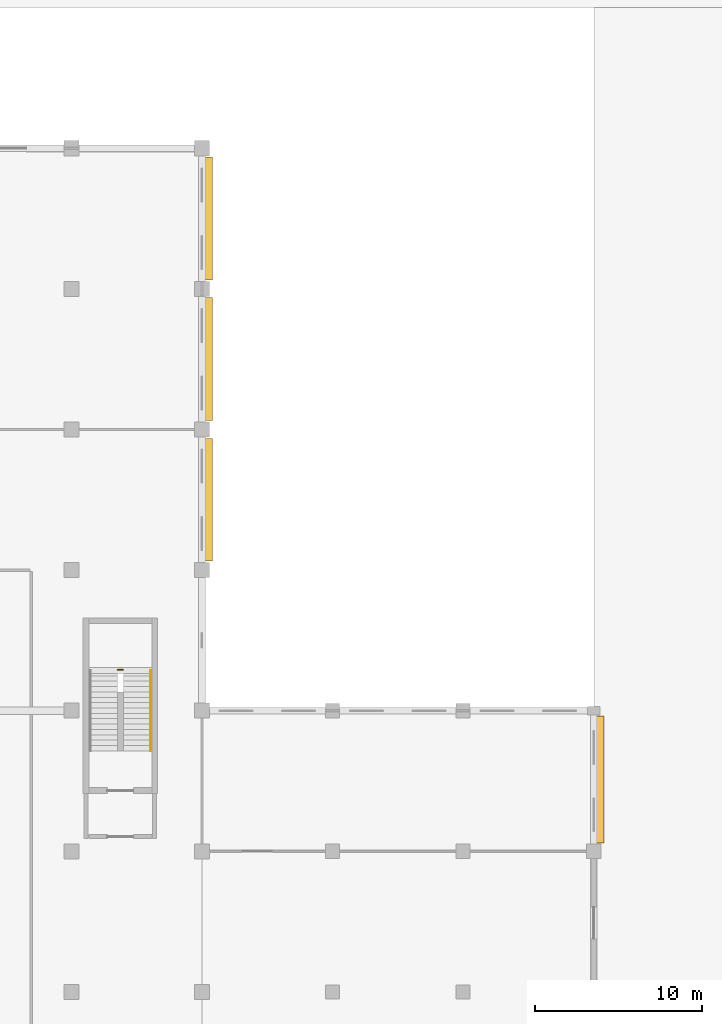
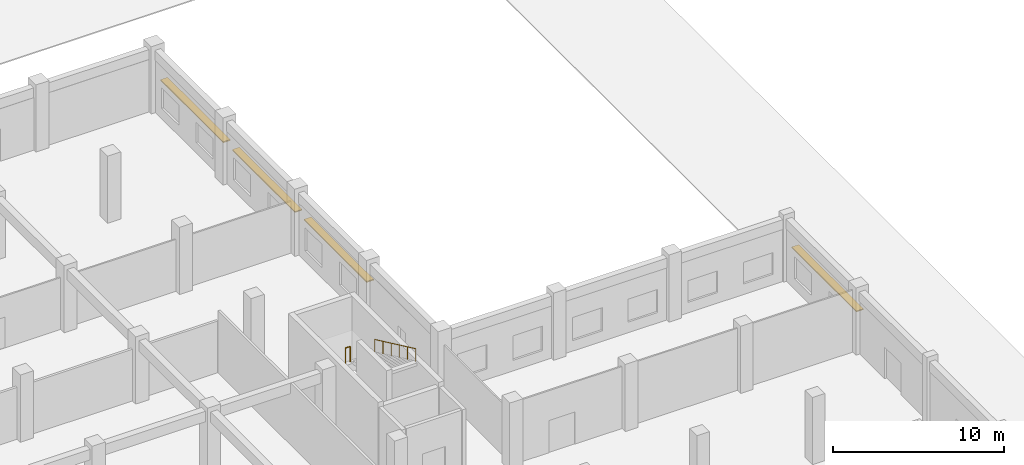
# One storey, part 74 of 74: 4 shading devices, 2 railings.
"""IFC4 building model written with IfcOpenShell, lengths in metres."""

from ifc_helpers import new_model, si_unit, direction, frame, origin, origin_2d, place, context, subcontext, project, spatial, rectangle, circle, extrude, material, layer, layer_set, type_object, element, save


model = new_model("IFC4")

# Units and contexts
model_context = context("Model", 3, precision=1e-05, world=origin(), true_north=direction((0.0, 1.0)))
body_context = subcontext(model_context, "Body", "Model", "MODEL_VIEW")
ifc_project = project(units=[si_unit("LENGTHUNIT", "METRE"), si_unit("AREAUNIT", "SQUARE_METRE"), si_unit("VOLUMEUNIT", "CUBIC_METRE"), si_unit("PLANEANGLEUNIT", "RADIAN"), si_unit("MASSUNIT", "GRAM", prefix="KILO"), si_unit("THERMODYNAMICTEMPERATUREUNIT", "KELVIN"), si_unit("POWERUNIT", "WATT")], contexts=[model_context])

# Site, building, storey
site_placement = place(None, origin())
site = spatial("IfcSite", under=ifc_project, at=site_placement, CompositionType="ELEMENT")
building_placement = place(site_placement, origin())
building = spatial("IfcBuilding", under=site, at=building_placement, Name="Srebrne Nadtorze General Hospital", CompositionType="ELEMENT")
storey_placement = place(building_placement, origin())
storey = spatial("IfcBuildingStorey", under=building, at=storey_placement, Name="L00", CompositionType="ELEMENT", Elevation=0.0)

# Shading devices
ifc_material_1 = material(Name="Anodised Aluminium", Category="aluminium")
ifc_layer = layer(ifc_material_1, 0.080078125)
ifc_layer_set = layer_set([ifc_layer], Name="Anodised Aluminium")
shading_device_type = type_object("IfcShadingDeviceType", Name="Hisashi horizontal aluminium sunshade", PredefinedType="JALOUSIE", material=ifc_layer_set)
for number, where, z_axis, x_axis, name in (
    (1, (148.580078125, 88.199951171875, 2.419921875), (0.0, 0.0, 1.0), (1.0, 0.0, 0.0), "Hisashi horizontal sunshade eave LV-045"),
    (2, (148.580078125, 96.60009765625, 2.320068359375), (0.0, 0.0, 1.0), (1.0, 0.0, 0.0), "Hisashi horizontal sunshade eave LV-046"),
    (3, (148.580078125, 105.0, 2.219970703125), (0.0, 0.0, 1.0), (1.0, 0.0, 0.0), "Hisashi horizontal sunshade eave LV-047"),
):
    element("IfcShadingDevice", number, at=place(storey_placement, frame(where, z_axis=z_axis, x_axis=x_axis)), inside=storey, type_object=shading_device_type, Name=name, PredefinedType="JALOUSIE", context=body_context, shape_type="SweptSolid", body=[
        extrude(rectangle(XDim=0.47998046875, YDim=7.340087890625, at=origin_2d()), origin(), (0.0, 0.0, 1.0), 0.080078125),
    ])
shading_device_placement = place(storey_placement, frame((171.97998046875, 71.487548828125, 2.320068359375), z_axis=(0.0, 0.0, 1.0), x_axis=(1.0, 0.0, 0.0)))
element("IfcShadingDevice", 4, at=shading_device_placement, inside=storey, type_object=shading_device_type, Name="Hisashi horizontal sunshade eave LV-049", PredefinedType="JALOUSIE", context=body_context, shape_type="SweptSolid", body=[
    extrude(rectangle(XDim=0.47998046875, YDim=7.56494140625, at=origin_2d()), origin(), (0.0, 0.0, 1.0), 0.080078125),
])

# Railings
ifc_material_2 = material(Name="Stainless Steel 316", Category="steel")
railing_type_1 = type_object("IfcRailingType", Name="Stairwell safety guard 1120", PredefinedType="BALUSTRADE", material=ifc_material_2)
railing_1_placement = place(storey_placement, frame((143.1650390625, 78.0400390625, 2.39990234375)))
element("IfcRailing", 5, at=railing_1_placement, inside=storey, type_object=railing_type_1, Name="Half landing well guard ST-04-L00", PredefinedType="BALUSTRADE", context=body_context, shape_type="SweptSolid", body=[
    extrude(circle(Radius=0.02392578125, at=origin_2d()), frame((0.0, 0.0, 1.09619140625), z_axis=(1.0, 0.0, 0.0), x_axis=(0.0, 1.0, 0.0)), (0.0, 0.0, 1.0), 0.320068359375),
    extrude(circle(Radius=0.02099609375, at=origin_2d()), origin(), (0.0, 0.0, 1.0), 1.072021484375),
    extrude(circle(Radius=0.02099609375, at=origin_2d()), frame((0.320068359375, 0.0, 0.0)), (0.0, 0.0, 1.0), 1.072021484375),
])
ifc_material_3 = material(Name="Stainless Steel 316", Category="steel")
railing_type_2 = type_object("IfcRailingType", Name="Tubular stainless handrail 920", PredefinedType="HANDRAIL", material=ifc_material_3)
railing_2_placement = place(storey_placement, frame((145.1201171875, 78.0, 2.550048828125)))
element("IfcRailing", 6, at=railing_2_placement, inside=storey, type_object=railing_type_2, Name="Stair flight handrail ST-04-L00 F2", PredefinedType="HANDRAIL", context=body_context, shape_type="SweptSolid", body=[
    extrude(circle(Radius=0.02392578125, at=origin_2d()), frame((0.0, 0.0, 0.89599609375), z_axis=(0.0, -0.90546059521, 0.424430336476), x_axis=(1.0, 0.0, 0.0)), (0.0, 0.0, 1.0), 5.30126953125),
    extrude(circle(Radius=0.02099609375, at=origin_2d()), origin(), (0.0, 0.0, 1.0), 0.871826171875),
    extrude(circle(Radius=0.02099609375, at=origin_2d()), frame((0.0, -0.9599609375, 0.449951171875)), (0.0, 0.0, 1.0), 0.871826171875),
    extrude(circle(Radius=0.02099609375, at=origin_2d()), frame((0.0, -1.919921875, 0.89990234375)), (0.0, 0.0, 1.0), 0.871826171875),
    extrude(circle(Radius=0.02099609375, at=origin_2d()), frame((0.0, -2.880126953125, 1.35009765625)), (0.0, 0.0, 1.0), 0.871826171875),
    extrude(circle(Radius=0.02099609375, at=origin_2d()), frame((0.0, -3.840087890625, 1.800048828125)), (0.0, 0.0, 1.0), 0.871826171875),
    extrude(circle(Radius=0.02099609375, at=origin_2d()), frame((0.0, -4.800048828125, 2.25)), (0.0, 0.0, 1.0), 0.871826171875),
])

save(model, "model.ifc")
